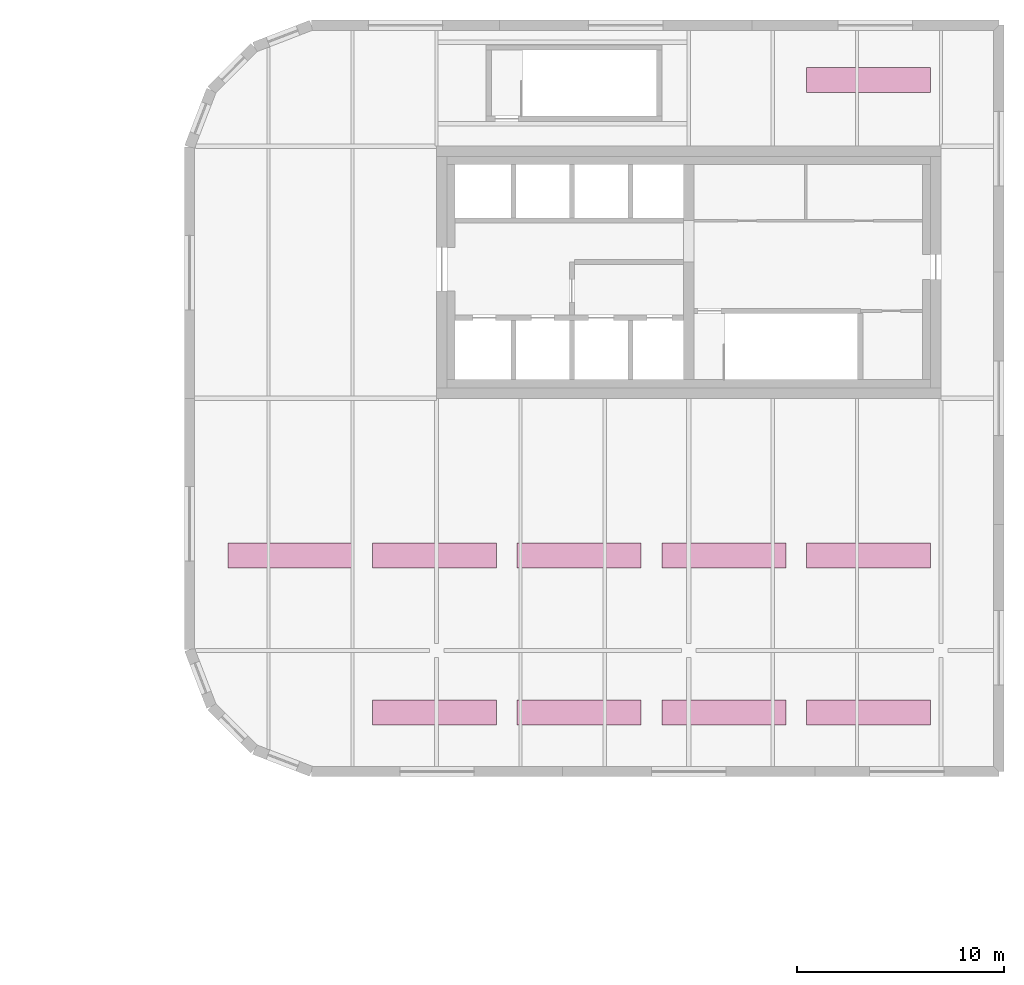
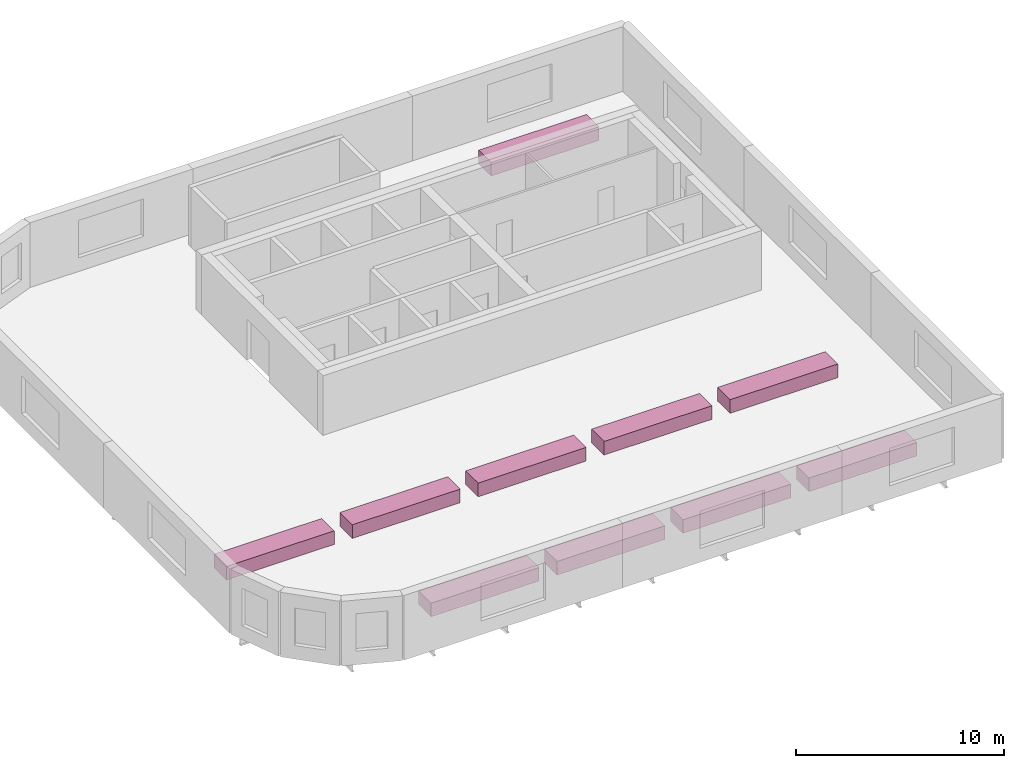
# One storey, part 17 of 17: 10 furniture elements.
"""IFC4 building model written with IfcOpenShell, lengths in metres."""

from ifc_helpers import new_model, si_unit, direction, frame, origin, origin_2d, place, context, subcontext, project, spatial, rectangle, extrude, material, type_object, element, save


model = new_model("IFC4")

# Units and contexts
model_context = context("Model", 3, precision=1e-05, world=origin(), true_north=direction((0.0, 1.0)))
body_context = subcontext(model_context, "Body", "Model", "MODEL_VIEW")
ifc_project = project(units=[si_unit("LENGTHUNIT", "METRE"), si_unit("AREAUNIT", "SQUARE_METRE"), si_unit("VOLUMEUNIT", "CUBIC_METRE"), si_unit("PLANEANGLEUNIT", "RADIAN"), si_unit("MASSUNIT", "GRAM", prefix="KILO")], contexts=[model_context])

# Site, building, storey
site_placement = place(None, origin())
site = spatial("IfcSite", under=ifc_project, at=site_placement, CompositionType="ELEMENT")
building_placement = place(site_placement, origin())
building = spatial("IfcBuilding", under=site, at=building_placement, Name="Tessera Gate Towers", CompositionType="ELEMENT")
storey_placement = place(building_placement, frame((0.0, 0.0, 112.60009765625)))
storey = spatial("IfcBuildingStorey", under=building, at=storey_placement, Name="L27", CompositionType="ELEMENT", Elevation=112.60009765625)

# Furniture
ifc_material = material(Name="Precast concrete C40/50 white", Category="concrete")
furniture_type = type_object("IfcFurnitureType", Name="PLANTER 6000x1200x800", AssemblyPlace="NOTDEFINED", PredefinedType="USERDEFINED", material=ifc_material)
for number, where, z_axis, x_axis, name in (
    (1, (97.5, 21.39990234375, 0.0), (0.0, 0.0, 1.0), (1.0, 0.0, 0.0), "Planter T2 PLT1-0001"),
    (2, (104.5, 21.39990234375, 0.0), (0.0, 0.0, 1.0), (1.0, 0.0, 0.0), "Planter T2 PLT1-0002"),
    (3, (111.5, 21.39990234375, 0.0), (0.0, 0.0, 1.0), (1.0, 0.0, 0.0), "Planter T2 PLT1-0003"),
    (4, (118.5, 21.39990234375, 0.0), (0.0, 0.0, 1.0), (1.0, 0.0, 0.0), "Planter T2 PLT1-0004"),
    (5, (118.5, 52.0, 0.0), (0.0, 0.0, 1.0), (1.0, 0.0, 0.0), "Planter T2 PLT1-0005"),
    (6, (90.5, 29.0, 0.0), (0.0, 0.0, 1.0), (1.0, 0.0, 0.0), "Planter T2 PLT1-0006"),
    (7, (97.5, 29.0, 0.0), (0.0, 0.0, 1.0), (1.0, 0.0, 0.0), "Planter T2 PLT1-0007"),
    (8, (104.5, 29.0, 0.0), (0.0, 0.0, 1.0), (1.0, 0.0, 0.0), "Planter T2 PLT1-0008"),
    (9, (111.5, 29.0, 0.0), (0.0, 0.0, 1.0), (1.0, 0.0, 0.0), "Planter T2 PLT1-0009"),
    (10, (118.5, 29.0, 0.0), (0.0, 0.0, 1.0), (1.0, 0.0, 0.0), "Planter T2 PLT1-0010"),
):
    element("IfcFurniture", number, at=place(storey_placement, frame(where, z_axis=z_axis, x_axis=x_axis)), inside=storey, type_object=furniture_type, Name=name, ObjectType="PLANTER", PredefinedType="USERDEFINED", context=body_context, shape_type="SweptSolid", body=[
        extrude(rectangle(XDim=6.0, YDim=1.199951171875, at=origin_2d()), origin(), (0.0, 0.0, 1.0), 0.800048828125),
    ])

save(model, "model.ifc")
